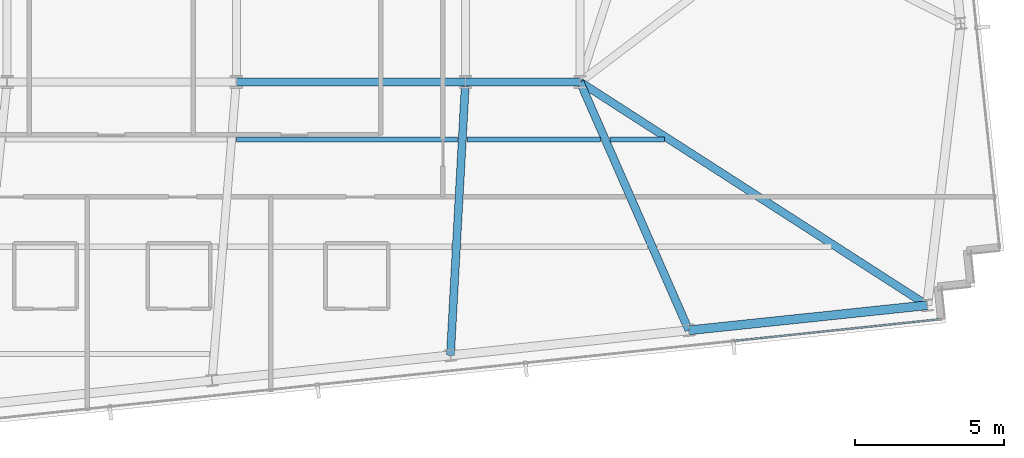
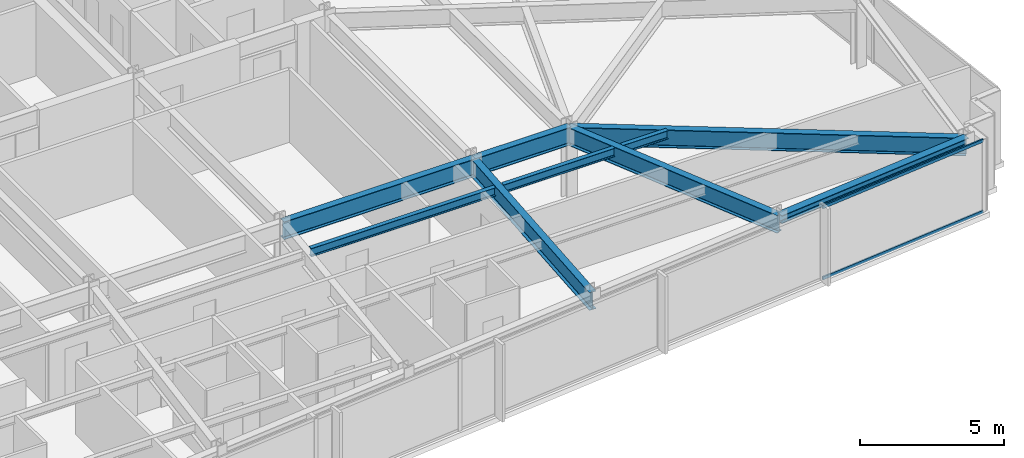
# One storey, part 16 of 33: 9 beams, 2 members, 1 element without a shape of its own.
"""IFC4 building model written with IfcOpenShell, lengths in metres."""

from ifc_helpers import new_model, si_unit, direction, frame, origin, origin_2d, place, context, subcontext, project, spatial, hollow_rectangle, i_section, extrude, material, material_profile, profile_set, type_object, element, aggregate, save


model = new_model("IFC4")

# Units and contexts
model_context = context("Model", 3, precision=1e-05, world=origin(), true_north=direction((0.0, 1.0)))
body_context = subcontext(model_context, "Body", "Model", "MODEL_VIEW")
ifc_project = project(units=[si_unit("LENGTHUNIT", "METRE"), si_unit("AREAUNIT", "SQUARE_METRE"), si_unit("VOLUMEUNIT", "CUBIC_METRE"), si_unit("PLANEANGLEUNIT", "RADIAN"), si_unit("MASSUNIT", "GRAM", prefix="KILO")], contexts=[model_context])

# Site, building, storey
site_placement = place(None, origin())
site = spatial("IfcSite", under=ifc_project, at=site_placement, CompositionType="ELEMENT")
building_placement = place(site_placement, origin())
building = spatial("IfcBuilding", under=site, at=building_placement, Name="Yelkora Congress Tower", CompositionType="ELEMENT")
storey_placement = place(building_placement, frame((0.0, 0.0, 234.199951171875)))
storey = spatial("IfcBuildingStorey", under=building, at=storey_placement, Name="L65", CompositionType="ELEMENT", Elevation=234.199951171875)

# Beams
ifc_material_1 = material(Name="Steel S355J2", Category="steel")
ifc_material_profile_1 = material_profile(ifc_material_1, i_section(OverallWidth=0.26708984375, OverallDepth=0.761962890625, WebThickness=0.014404296875, FlangeThickness=0.021484375, FilletRadius=0.01708984375, at=origin_2d()), Name="IPE 750x173")
ifc_profile_set_1 = profile_set([ifc_material_profile_1], Name="Steel S355J2")
beam_type_1 = type_object("IfcBeamType", Name="BM-GIRD-IPE750", PredefinedType="BEAM", material=ifc_profile_set_1)
beam_1_placement = place(storey_placement, frame((46.080078125, 25.199951171875, 2.698974609375), z_axis=(1.0, 0.0, 0.0), x_axis=(0.0, 1.0, 0.0)))
element("IfcBeam", 1, at=beam_1_placement, inside=storey, type_object=beam_type_1, Name="L65 Spine Grid D Girder 5", PredefinedType="BEAM", context=body_context, shape_type="SweptSolid", body=[
    extrude(i_section(OverallWidth=0.26708984375, OverallDepth=0.761962890625, WebThickness=0.014404296875, FlangeThickness=0.021484375, FilletRadius=0.01708984375, at=origin_2d()), origin(), (0.0, 0.0, 1.0), 7.679931640625),
])
beam_2_placement = place(storey_placement, frame((53.760009765625, 25.199951171875, 2.698974609375), z_axis=(1.0, 0.0, 0.0), x_axis=(0.0, 1.0, 0.0)))
element("IfcBeam", 2, at=beam_2_placement, inside=storey, type_object=beam_type_1, Name="L65 Spine Grid D Girder 6", PredefinedType="BEAM", context=body_context, shape_type="SweptSolid", body=[
    extrude(i_section(OverallWidth=0.26708984375, OverallDepth=0.761962890625, WebThickness=0.014404296875, FlangeThickness=0.021484375, FilletRadius=0.01708984375, at=origin_2d()), origin(), (0.0, 0.0, 1.0), 3.840087890625),
])
beam_3_placement = place(storey_placement, frame((53.25634765625, 16.037353515625, 2.698974609375), z_axis=(0.054886497042, 0.998492600094, 0.0), x_axis=(-0.998492600094, 0.054886497042, 0.0)))
element("IfcBeam", 3, at=beam_3_placement, inside=storey, type_object=beam_type_1, Name="L65 Primary Frame Girder S05", PredefinedType="BEAM", context=body_context, shape_type="SweptSolid", body=[
    extrude(i_section(OverallWidth=0.26708984375, OverallDepth=0.761962890625, WebThickness=0.014404296875, FlangeThickness=0.021484375, FilletRadius=0.01708984375, at=origin_2d()), origin(), (0.0, 0.0, 1.0), 9.176513671875),
])
beam_4_placement = place(storey_placement, frame((61.24560546875, 16.877197265625, 2.698974609375), z_axis=(-0.401216289608, 0.915983345347, 0.0), x_axis=(-0.915983345347, -0.401216289608, 0.0)))
element("IfcBeam", 4, at=beam_4_placement, inside=storey, type_object=beam_type_1, Name="L65 Primary Frame Girder S06", PredefinedType="BEAM", context=body_context, shape_type="SweptSolid", body=[
    extrude(i_section(OverallWidth=0.26708984375, OverallDepth=0.761962890625, WebThickness=0.014404296875, FlangeThickness=0.021484375, FilletRadius=0.01708984375, at=origin_2d()), origin(), (0.0, 0.0, 1.0), 9.086181640625),
])
beam_5_placement = place(storey_placement, frame((69.235107421875, 17.716796875, 2.698974609375), z_axis=(-0.841063201017, 0.54093686498, 0.0), x_axis=(-0.54093686498, -0.841063201017, 0.0)))
element("IfcBeam", 5, at=beam_5_placement, inside=storey, type_object=beam_type_1, Name="L65 Primary Frame Girder S07", PredefinedType="BEAM", context=body_context, shape_type="SweptSolid", body=[
    extrude(i_section(OverallWidth=0.26708984375, OverallDepth=0.761962890625, WebThickness=0.014404296875, FlangeThickness=0.021484375, FilletRadius=0.01708984375, at=origin_2d()), origin(), (0.0, 0.0, 1.0), 13.833740234375),
])
ifc_material_profile_2 = material_profile(ifc_material_1, i_section(OverallWidth=0.169921875, OverallDepth=0.360107421875, WebThickness=0.008056640625, FlangeThickness=0.0126953125, FilletRadius=0.01806640625, at=origin_2d()), Name="IPE 360")
ifc_profile_set_2 = profile_set([ifc_material_profile_2], Name="Steel S355J2")
beam_type_2 = type_object("IfcBeamType", Name="BM-JOIST-IPE360", PredefinedType="JOIST", material=ifc_profile_set_2)
beam_6_placement = place(storey_placement, frame((46.083740234375, 23.278564453125, 2.900146484375), z_axis=(1.0, 0.0, 0.0), x_axis=(0.0, 1.0, 0.0)))
element("IfcBeam", 6, at=beam_6_placement, inside=storey, type_object=beam_type_2, Name="L65 Composite Floor Joist 12", PredefinedType="JOIST", context=body_context, shape_type="SweptSolid", body=[
    extrude(i_section(OverallWidth=0.169921875, OverallDepth=0.360107421875, WebThickness=0.008056640625, FlangeThickness=0.0126953125, FilletRadius=0.01806640625, at=origin_2d()), origin(), (0.0, 0.0, 1.0), 7.41064453125),
])
beam_7_placement = place(storey_placement, frame((53.814453125, 23.278564453125, 2.900146484375), z_axis=(1.0, 0.0, 0.0), x_axis=(0.0, 1.0, 0.0)))
element("IfcBeam", 7, at=beam_7_placement, inside=storey, type_object=beam_type_2, Name="L65 Composite Floor Joist 13", PredefinedType="JOIST", context=body_context, shape_type="SweptSolid", body=[
    extrude(i_section(OverallWidth=0.169921875, OverallDepth=0.360107421875, WebThickness=0.008056640625, FlangeThickness=0.0126953125, FilletRadius=0.01806640625, at=origin_2d()), origin(), (0.0, 0.0, 1.0), 4.46728515625),
])
beam_8_placement = place(storey_placement, frame((58.601806640625, 23.278564453125, 2.900146484375), z_axis=(1.0, 0.0, 0.0), x_axis=(0.0, 1.0, 0.0)))
element("IfcBeam", 8, at=beam_8_placement, inside=storey, type_object=beam_type_2, Name="L65 Composite Floor Joist 14", PredefinedType="JOIST", context=body_context, shape_type="SweptSolid", body=[
    extrude(i_section(OverallWidth=0.169921875, OverallDepth=0.360107421875, WebThickness=0.008056640625, FlangeThickness=0.0126953125, FilletRadius=0.01806640625, at=origin_2d()), origin(), (0.0, 0.0, 1.0), 1.82568359375),
])
ifc_material_profile_3 = material_profile(ifc_material_1, i_section(OverallWidth=0.300048828125, OverallDepth=0.340087890625, WebThickness=0.011962890625, FlangeThickness=0.021484375, FilletRadius=0.027099609375, at=origin_2d()), Name="HEB 340")
ifc_profile_set_3 = profile_set([ifc_material_profile_3], Name="Steel S355J2")
beam_type_3 = type_object("IfcBeamType", Name="BM-SPAN-HEB340", PredefinedType="SPANDREL", material=ifc_profile_set_3)
beam_9_placement = place(storey_placement, frame((61.24560546875, 16.877197265625, 2.91015625), z_axis=(0.99452358891, 0.104512349038, 0.0), x_axis=(-0.104512349038, 0.99452358891, 0.0)))
element("IfcBeam", 9, at=beam_9_placement, inside=storey, type_object=beam_type_3, Name="L65 Perimeter Beam 8", PredefinedType="SPANDREL", context=body_context, shape_type="SweptSolid", body=[
    extrude(i_section(OverallWidth=0.300048828125, OverallDepth=0.340087890625, WebThickness=0.011962890625, FlangeThickness=0.021484375, FilletRadius=0.027099609375, at=origin_2d()), origin(), (0.0, 0.0, 1.0), 8.033447265625),
])

# Curtain wall, members
ifc_material_2 = material(Name="Anodised aluminium and insulated glass", Category="aluminium")
curtain_wall_type = type_object("IfcCurtainWallType", Name="CW-SYS-B4", PredefinedType="NOTDEFINED", material=ifc_material_2)
curtain_wall_placement = place(storey_placement, origin())
curtain_wall = element("IfcCurtainWall", 10, at=curtain_wall_placement, inside=storey, type_object=curtain_wall_type, Name="L65 Unitised Curtain Wall 20", PredefinedType="NOTDEFINED")
ifc_material_3 = material(Name="Anodised aluminium 6063-T6", Category="aluminium")
ifc_material_profile_4 = material_profile(ifc_material_3, hollow_rectangle(XDim=0.06005859375, YDim=0.1298828125, WallThickness=0.00390625, at=origin_2d()), Name="ALU 60x130x4")
ifc_profile_set_4 = profile_set([ifc_material_profile_4], Name="Anodised aluminium 6063-T6")
member_type = type_object("IfcMemberType", Name="MEM-TR-B4", PredefinedType="USERDEFINED", material=ifc_profile_set_4)
member_1_placement = place(storey_placement, frame((69.63134765625, 17.24560546875, 0.030029296875), z_axis=(-0.994523648539, -0.104511781616, 0.0), x_axis=(0.104511781616, -0.994523648539, 0.0)))
member_1 = element("IfcMember", 11, at=member_1_placement, type_object=member_type, Name="CW-B4 transom 1.1", ObjectType="TRANSOM", PredefinedType="USERDEFINED", context=body_context, shape_type="SweptSolid", body=[
    extrude(hollow_rectangle(XDim=0.06005859375, YDim=0.1298828125, WallThickness=0.00390625, at=origin_2d()), origin(), (0.0, 0.0, 1.0), 6.9052734375),
])
member_2_placement = place(storey_placement, frame((69.63134765625, 17.24560546875, 3.050048828125), z_axis=(-0.994523648539, -0.104511781616, 0.0), x_axis=(0.104511781616, -0.994523648539, 0.0)))
member_2 = element("IfcMember", 12, at=member_2_placement, type_object=member_type, Name="CW-B4 transom 1.2", ObjectType="TRANSOM", PredefinedType="USERDEFINED", context=body_context, shape_type="SweptSolid", body=[
    extrude(hollow_rectangle(XDim=0.06005859375, YDim=0.1298828125, WallThickness=0.00390625, at=origin_2d()), origin(), (0.0, 0.0, 1.0), 6.9052734375),
])
aggregate(curtain_wall, [member_1, member_2])

save(model, "model.ifc")
